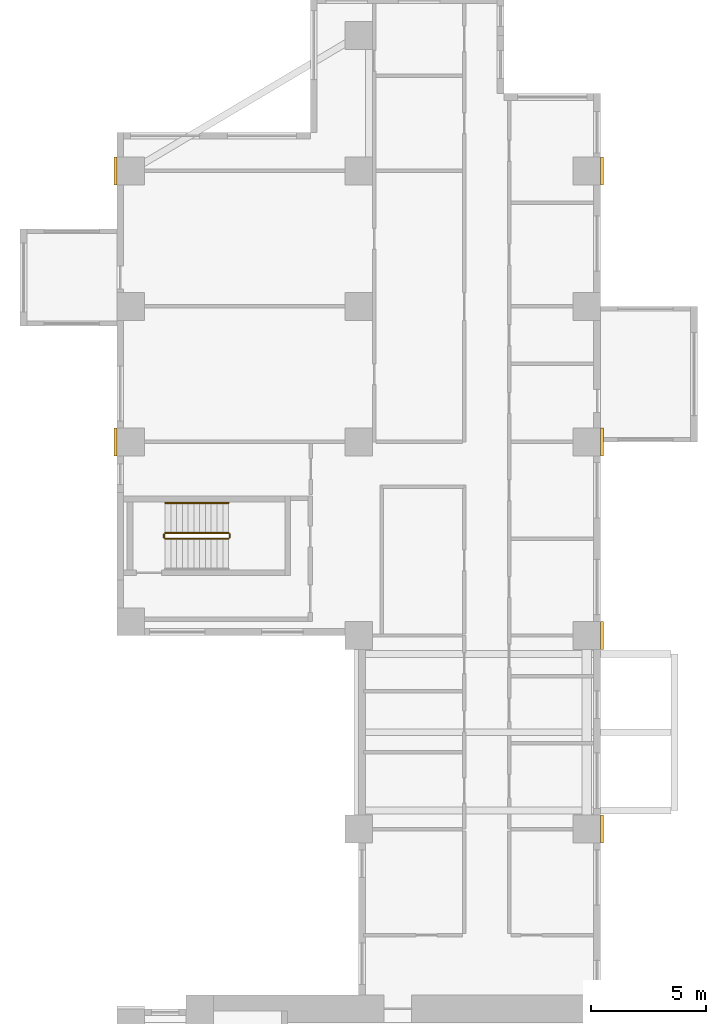
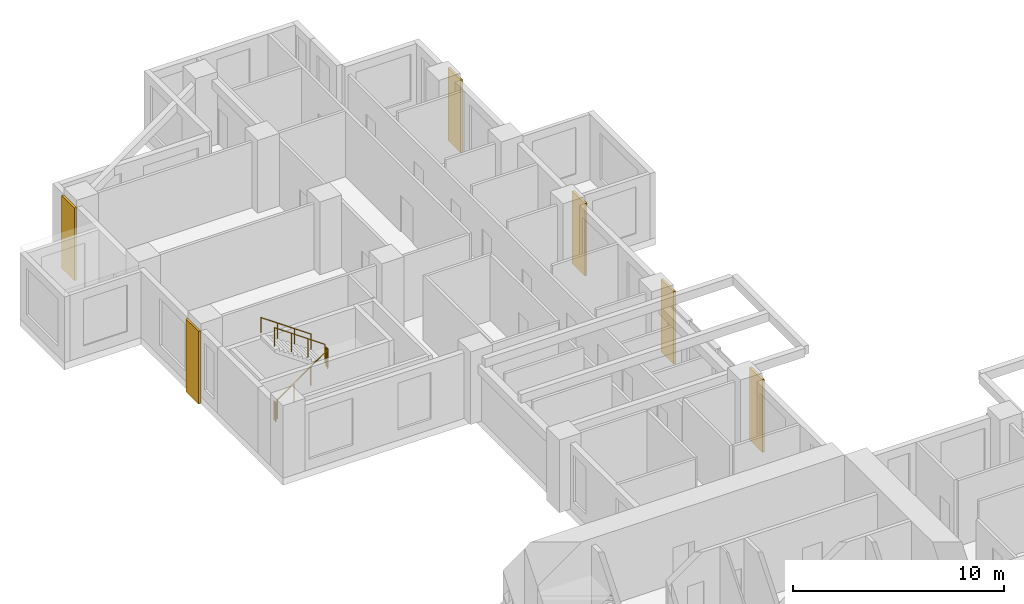
# One storey, part 14 of 15: 6 coverings, 5 railings.
"""IFC4 building model written with IfcOpenShell, lengths in metres."""

from ifc_helpers import new_model, si_unit, direction, frame, origin, origin_2d, place, context, subcontext, project, spatial, rectangle, circle, extrude, source, transform, mapped, material, type_object, element, save


model = new_model("IFC4")

# Units and contexts
model_context = context("Model", 3, precision=1e-05, world=origin(), true_north=direction((0.0, 1.0)))
body_context = subcontext(model_context, "Body", "Model", "MODEL_VIEW")
ifc_project = project(units=[si_unit("LENGTHUNIT", "METRE"), si_unit("AREAUNIT", "SQUARE_METRE"), si_unit("VOLUMEUNIT", "CUBIC_METRE"), si_unit("PLANEANGLEUNIT", "RADIAN"), si_unit("MASSUNIT", "GRAM", prefix="KILO")], contexts=[model_context])

# Site, building, storey
site_placement = place(None, origin())
site = spatial("IfcSite", under=ifc_project, at=site_placement, CompositionType="ELEMENT")
building_placement = place(site_placement, origin())
building = spatial("IfcBuilding", under=site, at=building_placement, Name="Aurelian Terraces", CompositionType="ELEMENT")
storey_placement = place(building_placement, frame((0.0, 0.0, 74.1)))
storey = spatial("IfcBuildingStorey", under=building, at=storey_placement, Name="L15", CompositionType="ELEMENT", Elevation=74.1)

# Coverings
ifc_material_1 = material(Name="Terracotta rainscreen cladding relief", Category="masonry")
covering_type = type_object("IfcCoveringType", Name="BAGUETTE-TC", PredefinedType="CLADDING", material=ifc_material_1)
shared_shape_1 = source(origin(), body_context, "Body", "SweptSolid", [
    extrude(rectangle(XDim=0.12, YDim=1.2, at=origin_2d()), origin(), (0.0, 0.0, 1.0), 4.2),
])
for number, where, z_axis, x_axis, name in (
    (1, (21.06, 29.4, -0.4), (0.0, 0.0, 1.0), (1.0, 0.0, 0.0), "BAGUETTE pier L15 10"),
    (2, (21.06, 37.8, -0.4), (0.0, 0.0, 1.0), (1.0, 0.0, 0.0), "BAGUETTE pier L15 11"),
    (3, (-0.06, 46.2, -0.4), (0.0, 0.0, 1.0), (1.0, 0.0, 0.0), "BAGUETTE pier L15 12"),
    (4, (21.06, 46.2, -0.4), (0.0, 0.0, 1.0), (1.0, 0.0, 0.0), "BAGUETTE pier L15 13"),
    (5, (-0.06, 57.96, -0.4), (0.0, 0.0, 1.0), (1.0, 0.0, 0.0), "BAGUETTE pier L15 14"),
    (6, (21.06, 57.96, -0.4), (0.0, 0.0, 1.0), (1.0, 0.0, 0.0), "BAGUETTE pier L15 15"),
):
    element("IfcCovering", number, at=place(storey_placement, frame(where, z_axis=z_axis, x_axis=x_axis)), inside=storey, type_object=covering_type, Name=name, PredefinedType="CLADDING", context=body_context, shape_type="MappedRepresentation", body=[
        mapped(shared_shape_1, transform((0.0, 0.0, 0.0), scale=1.0)),
    ])

# Railings
ifc_material_2 = material(Name="Stainless steel", Category="steel")
railing_type_1 = type_object("IfcRailingType", Name="Stair guard 1100", PredefinedType="GUARDRAIL", material=ifc_material_2)
shared_shape_2 = source(origin(), body_context, "Body", "SweptSolid", [
    extrude(circle(Radius=0.024, at=origin_2d()), frame((0.0, 0.0, 1.076), z_axis=(0.0, 1.0, 0.0), x_axis=(-1.0, 0.0, 0.0)), (0.0, 0.0, 1.0), 0.15),
    extrude(circle(Radius=0.021, at=origin_2d()), origin(), (0.0, 0.0, 1.0), 1.052),
    extrude(circle(Radius=0.021, at=origin_2d()), frame((0.0, 0.15, 0.0)), (0.0, 0.0, 1.0), 1.052),
])
for number, where, name in (
    (7, (4.9, 42.05, 2.1), "L15 S3 stair guard 2"),
    (8, (2.05, 42.05, 0.0), "L15 S3 stair guard 4"),
):
    element("IfcRailing", number, at=place(storey_placement, frame(where)), inside=storey, type_object=railing_type_1, Name=name, PredefinedType="GUARDRAIL", context=body_context, shape_type="MappedRepresentation", body=[
        mapped(shared_shape_2, transform((0.0, 0.0, 0.0), scale=1.0)),
    ])
shared_shape_3 = source(origin(), body_context, "Body", "SweptSolid", [
    extrude(circle(Radius=0.024, at=origin_2d()), frame((0.0, 0.0, 1.076), z_axis=(0.819231920519, 0.0, 0.573462344363), x_axis=(0.0, 1.0, 0.0)), (0.0, 0.0, 1.0), 3.3568),
    extrude(circle(Radius=0.021, at=origin_2d()), origin(), (0.0, 0.0, 1.0), 1.052),
    extrude(circle(Radius=0.021, at=origin_2d()), frame((0.9167, 0.0, 0.6417)), (0.0, 0.0, 1.0), 1.052),
    extrude(circle(Radius=0.021, at=origin_2d()), frame((1.8333, 0.0, 1.2833)), (0.0, 0.0, 1.0), 1.052),
    extrude(circle(Radius=0.021, at=origin_2d()), frame((2.75, 0.0, 1.925)), (0.0, 0.0, 1.0), 1.052),
])
railing_1_placement = place(storey_placement, frame((2.1, 42.0, 0.175)))
element("IfcRailing", 9, at=railing_1_placement, inside=storey, type_object=railing_type_1, Name="L15 S3 stair guard 1", PredefinedType="GUARDRAIL", context=body_context, shape_type="MappedRepresentation", body=[
    mapped(shared_shape_3, transform((0.0, 0.0, 0.0), scale=1.0)),
])
shared_shape_4 = source(origin(), body_context, "Body", "SweptSolid", [
    extrude(circle(Radius=0.024, at=origin_2d()), frame((0.0, 0.0, 1.076), z_axis=(-0.819231920519, 0.0, 0.573462344363), x_axis=(0.0, -1.0, 0.0)), (0.0, 0.0, 1.0), 3.3568),
    extrude(circle(Radius=0.021, at=origin_2d()), origin(), (0.0, 0.0, 1.0), 1.052),
    extrude(circle(Radius=0.021, at=origin_2d()), frame((-0.9167, 0.0, 0.6417)), (0.0, 0.0, 1.0), 1.052),
    extrude(circle(Radius=0.021, at=origin_2d()), frame((-1.8333, 0.0, 1.2833)), (0.0, 0.0, 1.0), 1.052),
    extrude(circle(Radius=0.021, at=origin_2d()), frame((-2.75, 0.0, 1.925)), (0.0, 0.0, 1.0), 1.052),
])
railing_2_placement = place(storey_placement, frame((4.85, 42.25, 2.275)))
element("IfcRailing", 10, at=railing_2_placement, inside=storey, type_object=railing_type_1, Name="L15 S3 stair guard 3", PredefinedType="GUARDRAIL", context=body_context, shape_type="MappedRepresentation", body=[
    mapped(shared_shape_4, transform((0.0, 0.0, 0.0), scale=1.0)),
])
railing_type_2 = type_object("IfcRailingType", Name="Stair handrail", PredefinedType="HANDRAIL", material=ifc_material_2)
shared_shape_5 = source(origin(), body_context, "Body", "SweptSolid", [
    extrude(circle(Radius=0.024, at=origin_2d()), frame((0.0, 0.0, 0.876), z_axis=(-0.819231920519, 0.0, 0.573462344363), x_axis=(0.0, -1.0, 0.0)), (0.0, 0.0, 1.0), 3.3568),
    extrude(circle(Radius=0.021, at=origin_2d()), origin(), (0.0, 0.0, 1.0), 0.852),
    extrude(circle(Radius=0.021, at=origin_2d()), frame((-0.9167, 0.0, 0.6417)), (0.0, 0.0, 1.0), 0.852),
    extrude(circle(Radius=0.021, at=origin_2d()), frame((-1.8333, 0.0, 1.2833)), (0.0, 0.0, 1.0), 0.852),
    extrude(circle(Radius=0.021, at=origin_2d()), frame((-2.75, 0.0, 1.925)), (0.0, 0.0, 1.0), 0.852),
])
railing_3_placement = place(storey_placement, frame((4.85, 43.55, 2.275)))
element("IfcRailing", 11, at=railing_3_placement, inside=storey, type_object=railing_type_2, Name="L15 S3 stair handrail 2", PredefinedType="HANDRAIL", context=body_context, shape_type="MappedRepresentation", body=[
    mapped(shared_shape_5, transform((0.0, 0.0, 0.0), scale=1.0)),
])

save(model, "model.ifc")
